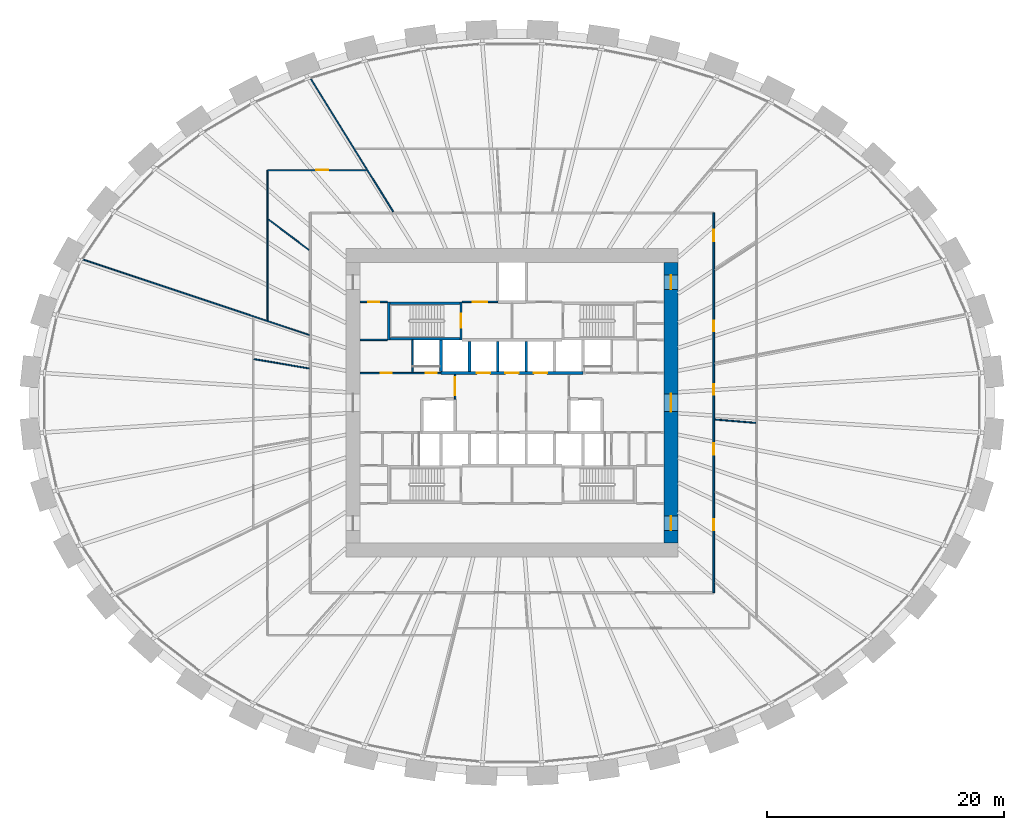
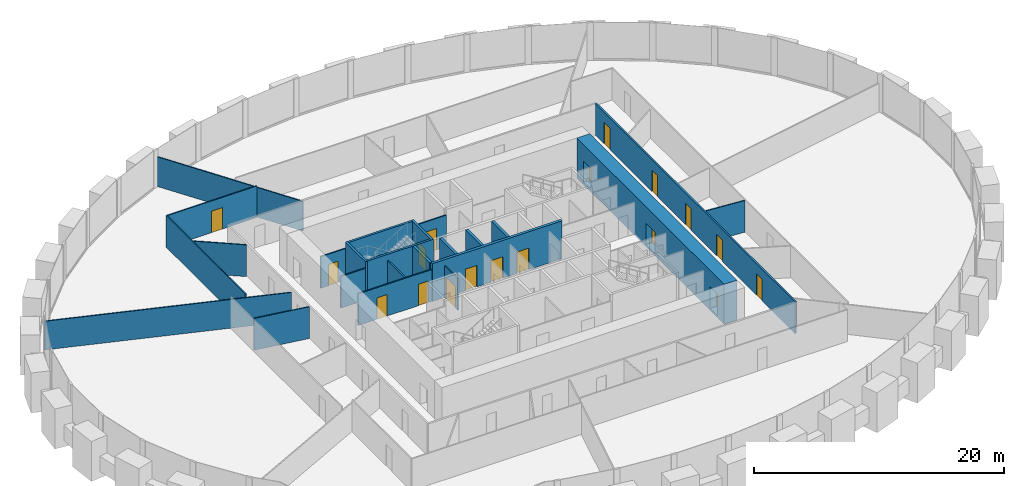
# One storey, part 8 of 11: 24 walls, 18 doors, 18 openings.
"""IFC4 building model written with IfcOpenShell, lengths in metres."""

from ifc_helpers import new_model, si_unit, direction, frame, frame_2d, origin, place, context, subcontext, project, spatial, rectangle, extrude, source, transform, mapped, material, layer, layer_set, type_object, element, fill, save


model = new_model("IFC4")

# Units and contexts
model_context = context("Model", 3, precision=1e-05, world=origin(), true_north=direction((0.0, 1.0)))
body_context = subcontext(model_context, "Body", "Model", "MODEL_VIEW")
ifc_project = project(units=[si_unit("LENGTHUNIT", "METRE"), si_unit("AREAUNIT", "SQUARE_METRE"), si_unit("VOLUMEUNIT", "CUBIC_METRE"), si_unit("PLANEANGLEUNIT", "RADIAN"), si_unit("MASSUNIT", "GRAM", prefix="KILO")], contexts=[model_context])

# Site, building, storey
site_placement = place(None, origin())
site = spatial("IfcSite", under=ifc_project, at=site_placement, CompositionType="ELEMENT")
building_placement = place(site_placement, origin())
building = spatial("IfcBuilding", under=site, at=building_placement, Name="Embergate Tower", CompositionType="ELEMENT")
storey_placement = place(building_placement, frame((0.0, 0.0, 58.10009765625)))
storey = spatial("IfcBuildingStorey", under=building, at=storey_placement, Name="L10", CompositionType="ELEMENT", Elevation=58.10009765625)

# Wall, openings, doors
ifc_material_1 = material(Name="Concrete C80", Category="concrete")
ifc_layer_1 = layer(ifc_material_1, 1.199951171875)
ifc_layer_set_1 = layer_set([ifc_layer_1], Name="Concrete C80")
wall_type_1 = type_object("IfcWallType", Name="Core outer wall C80 1200", PredefinedType="SHEAR", material=ifc_layer_set_1)
shared_shape_1 = source(origin(), body_context, "Body", "SweptSolid", [
    extrude(rectangle(XDim=23.60009765625, YDim=1.199951171875, at=frame_2d((11.800048828125, 0.0))), origin(), (0.0, 0.0, 1.0), 3.900146484375),
])
wall_1_placement = place(storey_placement, frame((13.39990234375, -11.800048828125, -0.2001953125), z_axis=(0.0, 0.0, 1.0), x_axis=(0.0, 1.0, 0.0)))
wall_1 = element("IfcWall", 1, at=wall_1_placement, inside=storey, type_object=wall_type_1, Name="CW-L10-E", PredefinedType="SHEAR", context=body_context, shape_type="MappedRepresentation", body=[
    mapped(shared_shape_1, transform((0.0, 0.0, 0.0))),
])
shared_shape_2 = source(origin(), body_context, "Body", "SweptSolid", [
    extrude(rectangle(XDim=1.199951171875, YDim=2.10009765625, at=frame_2d((0.60009765625, 1.050048828125))), frame((0.0, 0.60986328125, 0.0), z_axis=(0.0, -1.0, 0.0), x_axis=(1.0, 0.0, 0.0)), (0.0, 0.0, 1.0), 1.219970703125),
])
opening_1_placement = place(wall_1_placement, frame((21.35009765625, 0.0, 0.199951171875)))
opening_1 = element("IfcOpeningElement", 2, at=opening_1_placement, cuts=wall_1, Name="Opening IF-1", PredefinedType="OPENING", context=body_context, shape_type="MappedRepresentation", body=[
    mapped(shared_shape_2, transform((0.0, 0.0, 0.0))),
])
opening_2_placement = place(wall_1_placement, frame((1.050048828125, 0.0, 0.199951171875)))
opening_2 = element("IfcOpeningElement", 3, at=opening_2_placement, cuts=wall_1, Name="Opening IF-1", PredefinedType="OPENING", context=body_context, shape_type="MappedRepresentation", body=[
    mapped(shared_shape_2, transform((0.0, 0.0, 0.0))),
])
shared_shape_3 = source(origin(), body_context, "Body", "SweptSolid", [
    extrude(rectangle(XDim=1.5, YDim=2.10009765625, at=frame_2d((0.75, 1.050048828125))), frame((0.0, 0.60986328125, 0.0), z_axis=(0.0, -1.0, 0.0), x_axis=(1.0, 0.0, 0.0)), (0.0, 0.0, 1.0), 1.219970703125),
])
opening_3_placement = place(wall_1_placement, frame((11.050048828125, 0.0, 0.199951171875)))
opening_3 = element("IfcOpeningElement", 4, at=opening_3_placement, cuts=wall_1, Name="Opening IF-3", PredefinedType="OPENING", context=body_context, shape_type="MappedRepresentation", body=[
    mapped(shared_shape_3, transform((0.0, 0.0, 0.0))),
])
ifc_material_2 = material(Name="Escape fire door 1200")
door_type_1 = type_object("IfcDoorType", Name="Escape fire door 1200", OperationType="SINGLE_SWING_LEFT", PredefinedType="DOOR", material=ifc_material_2)
shared_shape_4 = source(origin(), body_context, "Body", "SweptSolid", [
    extrude(rectangle(XDim=1.199951171875, YDim=2.10009765625, at=frame_2d((0.60009765625, 1.050048828125))), frame((0.0, 0.02490234375, 0.0), z_axis=(0.0, -1.0, 0.0), x_axis=(1.0, 0.0, 0.0)), (0.0, 0.0, 1.0), 0.050048828125),
])
door_1_placement = place(opening_1_placement, origin())
door_1 = element("IfcDoor", 5, at=door_1_placement, inside=storey, type_object=door_type_1, Name="IF-1 door", OperationType="SINGLE_SWING_RIGHT", OverallHeight=2.10009765625, OverallWidth=1.199951171875, PredefinedType="DOOR", context=body_context, shape_type="MappedRepresentation", body=[
    mapped(shared_shape_4, transform((0.0, 0.0, 0.0))),
])
fill(opening_1, door_1)
door_2_placement = place(opening_2_placement, origin())
door_2 = element("IfcDoor", 6, at=door_2_placement, inside=storey, type_object=door_type_1, Name="IF-1 door", OperationType="SINGLE_SWING_LEFT", OverallHeight=2.10009765625, OverallWidth=1.199951171875, PredefinedType="DOOR", context=body_context, shape_type="MappedRepresentation", body=[
    mapped(shared_shape_4, transform((0.0, 0.0, 0.0))),
])
fill(opening_2, door_2)
ifc_material_3 = material(Name="Lobby fire door pair 1500")
door_type_2 = type_object("IfcDoorType", Name="Lobby fire door pair 1500", OperationType="DOUBLE_DOOR_SINGLE_SWING", PredefinedType="DOOR", material=ifc_material_3)
shared_shape_5 = source(origin(), body_context, "Body", "SweptSolid", [
    extrude(rectangle(XDim=1.5, YDim=2.10009765625, at=frame_2d((0.75, 1.050048828125))), frame((0.0, 0.02490234375, 0.0), z_axis=(0.0, -1.0, 0.0), x_axis=(1.0, 0.0, 0.0)), (0.0, 0.0, 1.0), 0.050048828125),
])
door_3_placement = place(opening_3_placement, origin())
door_3 = element("IfcDoor", 7, at=door_3_placement, inside=storey, type_object=door_type_2, Name="IF-3 door", OperationType="DOUBLE_DOOR_SINGLE_SWING", OverallHeight=2.10009765625, OverallWidth=1.5, PredefinedType="DOOR", context=body_context, shape_type="MappedRepresentation", body=[
    mapped(shared_shape_5, transform((0.0, 0.0, 0.0))),
])
fill(opening_3, door_3)

# Walls
ifc_material_4 = material(Name="Concrete C50", Category="concrete")
ifc_layer_2 = layer(ifc_material_4, 0.25)
ifc_layer_set_2 = layer_set([ifc_layer_2], Name="Concrete C50")
wall_type_2 = type_object("IfcWallType", Name="Hoistway wall reinforced concrete 250", PredefinedType="SHEAR", material=ifc_layer_set_2)
shared_shape_6 = source(origin(), body_context, "Body", "SweptSolid", [
    extrude(rectangle(XDim=2.675048828125, YDim=0.25, at=frame_2d((1.33740234375, 0.0))), origin(), (0.0, 0.0, 1.0), 3.699951171875),
])
wall_2_placement = place(storey_placement, frame((-6.0, 2.625, 0.0), z_axis=(0.0, 0.0, 1.0), x_axis=(0.0, 1.0, 0.0)))
element("IfcWall", 8, at=wall_2_placement, inside=storey, type_object=wall_type_2, Name="HW-1 wall", PredefinedType="SHEAR", context=body_context, shape_type="MappedRepresentation", body=[
    mapped(shared_shape_6, transform((0.0, 0.0, 0.0))),
])
ifc_layer_3 = layer(ifc_material_4, 0.199951171875)
ifc_layer_set_3 = layer_set([ifc_layer_3], Name="Concrete C50")
wall_type_3 = type_object("IfcWallType", Name="Stair enclosure wall reinforced concrete 250", PredefinedType="SHEAR", material=ifc_layer_set_3)
shared_shape_7 = source(origin(), body_context, "Body", "SweptSolid", [
    extrude(rectangle(XDim=6.300048828125, YDim=0.199951171875, at=frame_2d((3.14990234375, 0.0))), origin(), (0.0, 0.0, 1.0), 3.699951171875),
])
for number, where, z_axis, x_axis, name in (
    (9, (-4.199951171875, 5.39990234375, 0.0), (0.0, 0.0, 1.0), (-1.0, 0.0, 0.0), "SE-1 wall"),
    (10, (-4.199951171875, 8.39990234375, 0.0), (0.0, 0.0, 1.0), (-1.0, 0.0, 0.0), "SE-1 wall"),
):
    element("IfcWall", number, at=place(storey_placement, frame(where, z_axis=z_axis, x_axis=x_axis)), inside=storey, type_object=wall_type_3, Name=name, PredefinedType="SHEAR", context=body_context, shape_type="MappedRepresentation", body=[
        mapped(shared_shape_7, transform((0.0, 0.0, 0.0))),
    ])
shared_shape_8 = source(origin(), body_context, "Body", "SweptSolid", [
    extrude(rectangle(XDim=2.550048828125, YDim=0.25, at=frame_2d((1.27490234375, 0.0))), origin(), (0.0, 0.0, 1.0), 3.699951171875),
])
for number, where, z_axis, x_axis, name in (
    (11, (-3.60009765625, 2.625, 0.0), (0.0, 0.0, 1.0), (0.0, 1.0, 0.0), "HW-1 wall"),
    (12, (-1.199951171875, 2.625, 0.0), (0.0, 0.0, 1.0), (0.0, 1.0, 0.0), "HW-1 wall"),
    (13, (1.199951171875, 2.625, 0.0), (0.0, 0.0, 1.0), (0.0, 1.0, 0.0), "HW-1 wall"),
):
    element("IfcWall", number, at=place(storey_placement, frame(where, z_axis=z_axis, x_axis=x_axis)), inside=storey, type_object=wall_type_2, Name=name, PredefinedType="SHEAR", context=body_context, shape_type="MappedRepresentation", body=[
        mapped(shared_shape_8, transform((0.0, 0.0, 0.0))),
    ])

# Wall, openings, doors
shared_shape_9 = source(origin(), body_context, "Body", "SweptSolid", [
    extrude(rectangle(XDim=12.0, YDim=0.25, at=frame_2d((6.0, 0.0))), origin(), (0.0, 0.0, 1.0), 3.699951171875),
])
wall_3_placement = place(storey_placement, frame((-6.0, 2.5, 0.0), z_axis=(0.0, 0.0, 1.0), x_axis=(1.0, 0.0, 0.0)))
wall_3 = element("IfcWall", 14, at=wall_3_placement, inside=storey, type_object=wall_type_2, Name="HW-1 wall", PredefinedType="SHEAR", context=body_context, shape_type="MappedRepresentation", body=[
    mapped(shared_shape_9, transform((0.0, 0.0, 0.0))),
])
shared_shape_10 = source(origin(), body_context, "Body", "SweptSolid", [
    extrude(rectangle(XDim=1.10009765625, YDim=2.10009765625, at=frame_2d((0.550048828125, 1.050048828125))), frame((0.0, 0.135009765625, 0.0), z_axis=(0.0, -1.0, 0.0), x_axis=(1.0, 0.0, 0.0)), (0.0, 0.0, 1.0), 0.27001953125),
])
opening_4_placement = place(wall_3_placement, frame((3.050048828125, 0.0, 0.0)))
opening_4 = element("IfcOpeningElement", 15, at=opening_4_placement, cuts=wall_3, Name="Opening LD", PredefinedType="OPENING", context=body_context, shape_type="MappedRepresentation", body=[
    mapped(shared_shape_10, transform((0.0, 0.0, 0.0))),
])
opening_5_placement = place(wall_3_placement, frame((5.449951171875, 0.0, 0.0)))
opening_5 = element("IfcOpeningElement", 16, at=opening_5_placement, cuts=wall_3, Name="Opening LD", PredefinedType="OPENING", context=body_context, shape_type="MappedRepresentation", body=[
    mapped(shared_shape_10, transform((0.0, 0.0, 0.0))),
])
opening_6_placement = place(wall_3_placement, frame((7.85009765625, 0.0, 0.0)))
opening_6 = element("IfcOpeningElement", 17, at=opening_6_placement, cuts=wall_3, Name="Opening LD", PredefinedType="OPENING", context=body_context, shape_type="MappedRepresentation", body=[
    mapped(shared_shape_10, transform((0.0, 0.0, 0.0))),
])
ifc_material_5 = material(Name="Landing door sliding 1100")
door_type_3 = type_object("IfcDoorType", Name="Landing door sliding 1100", OperationType="SLIDING_TO_LEFT", PredefinedType="DOOR", material=ifc_material_5)
shared_shape_11 = source(origin(), body_context, "Body", "SweptSolid", [
    extrude(rectangle(XDim=1.10009765625, YDim=2.10009765625, at=frame_2d((0.550048828125, 1.050048828125))), frame((0.0, 0.02490234375, 0.0), z_axis=(0.0, -1.0, 0.0), x_axis=(1.0, 0.0, 0.0)), (0.0, 0.0, 1.0), 0.050048828125),
])
door_4_placement = place(opening_4_placement, origin())
door_4 = element("IfcDoor", 18, at=door_4_placement, inside=storey, type_object=door_type_3, Name="LD door", OperationType="SLIDING_TO_LEFT", OverallHeight=2.10009765625, OverallWidth=1.10009765625, PredefinedType="DOOR", context=body_context, shape_type="MappedRepresentation", body=[
    mapped(shared_shape_11, transform((0.0, 0.0, 0.0))),
])
fill(opening_4, door_4)
door_5_placement = place(opening_5_placement, origin())
door_5 = element("IfcDoor", 19, at=door_5_placement, inside=storey, type_object=door_type_3, Name="LD door", OperationType="SLIDING_TO_LEFT", OverallHeight=2.10009765625, OverallWidth=1.10009765625, PredefinedType="DOOR", context=body_context, shape_type="MappedRepresentation", body=[
    mapped(shared_shape_11, transform((0.0, 0.0, 0.0))),
])
fill(opening_5, door_5)
door_6_placement = place(opening_6_placement, origin())
door_6 = element("IfcDoor", 20, at=door_6_placement, inside=storey, type_object=door_type_3, Name="LD door", OperationType="SLIDING_TO_RIGHT", OverallHeight=2.10009765625, OverallWidth=1.10009765625, PredefinedType="DOOR", context=body_context, shape_type="MappedRepresentation", body=[
    mapped(shared_shape_11, transform((0.0, 0.0, 0.0))),
])
fill(opening_6, door_6)

# Wall, opening, door
shared_shape_12 = source(origin(), body_context, "Body", "SweptSolid", [
    extrude(rectangle(XDim=3.199951171875, YDim=0.199951171875, at=frame_2d((1.60009765625, 0.0))), origin(), (0.0, 0.0, 1.0), 3.699951171875),
])
wall_4_placement = place(storey_placement, frame((-4.300048828125, 5.300048828125, 0.0), z_axis=(0.0, 0.0, 1.0), x_axis=(0.0, 1.0, 0.0)))
wall_4 = element("IfcWall", 21, at=wall_4_placement, inside=storey, type_object=wall_type_3, Name="SE-1 wall", PredefinedType="SHEAR", context=body_context, shape_type="MappedRepresentation", body=[
    mapped(shared_shape_12, transform((0.0, 0.0, 0.0))),
])
shared_shape_13 = source(origin(), body_context, "Body", "SweptSolid", [
    extrude(rectangle(XDim=1.199951171875, YDim=2.10009765625, at=frame_2d((0.60009765625, 1.050048828125))), frame((0.0, 0.10986328125, 0.0), z_axis=(0.0, -1.0, 0.0), x_axis=(1.0, 0.0, 0.0)), (0.0, 0.0, 1.0), 0.219970703125),
])
opening_7_placement = place(wall_4_placement, frame((1.0, 0.0, 0.0)))
opening_7 = element("IfcOpeningElement", 22, at=opening_7_placement, cuts=wall_4, Name="Opening IF-2", PredefinedType="OPENING", context=body_context, shape_type="MappedRepresentation", body=[
    mapped(shared_shape_13, transform((0.0, 0.0, 0.0))),
])
ifc_material_6 = material(Name="Stair enclosure door 1200")
door_type_4 = type_object("IfcDoorType", Name="Stair enclosure door 1200", OperationType="SINGLE_SWING_LEFT", PredefinedType="DOOR", material=ifc_material_6)
door_7_placement = place(opening_7_placement, origin())
door_7 = element("IfcDoor", 23, at=door_7_placement, inside=storey, type_object=door_type_4, Name="IF-2 door", OperationType="SINGLE_SWING_RIGHT", OverallHeight=2.10009765625, OverallWidth=1.199951171875, PredefinedType="DOOR", context=body_context, shape_type="MappedRepresentation", body=[
    mapped(shared_shape_4, transform((0.0, 0.0, 0.0))),
])
fill(opening_7, door_7)

# Wall
wall_5_placement = place(storey_placement, frame((-10.39990234375, 8.5, 0.0), z_axis=(0.0, 0.0, 1.0), x_axis=(0.0, -1.0, 0.0)))
element("IfcWall", 24, at=wall_5_placement, inside=storey, type_object=wall_type_3, Name="SE-1 wall", PredefinedType="SHEAR", context=body_context, shape_type="MappedRepresentation", body=[
    mapped(shared_shape_12, transform((0.0, 0.0, 0.0))),
])

# Wall, openings, doors
ifc_material_7 = material(Name="Core partition blockwork 120")
ifc_layer_4 = layer(ifc_material_7, 0.1201171875)
ifc_layer_set_4 = layer_set([ifc_layer_4], Name="Core partition blockwork 120")
wall_type_4 = type_object("IfcWallType", Name="Core partition blockwork 120", PredefinedType="PARTITIONING", material=ifc_layer_set_4)
shared_shape_14 = source(origin(), body_context, "Body", "SweptSolid", [
    extrude(rectangle(XDim=6.800048828125, YDim=0.1201171875, at=frame_2d((3.39990234375, 0.0))), origin(), (0.0, 0.0, 1.0), 3.099853515625),
])
wall_6_placement = place(storey_placement, frame((-12.800048828125, 2.5, 0.0), z_axis=(0.0, 0.0, 1.0), x_axis=(1.0, 0.0, 0.0)))
wall_6 = element("IfcWall", 25, at=wall_6_placement, inside=storey, type_object=wall_type_4, Name="IP-3 wall", PredefinedType="PARTITIONING", context=body_context, shape_type="MappedRepresentation", body=[
    mapped(shared_shape_14, transform((0.0, 0.0, 0.0))),
])
shared_shape_15 = source(origin(), body_context, "Body", "SweptSolid", [
    extrude(rectangle(XDim=0.89990234375, YDim=2.10009765625, at=frame_2d((0.449951171875, 1.050048828125))), frame((0.0, 0.070068359375, 0.0), z_axis=(0.0, -1.0, 0.0), x_axis=(1.0, 0.0, 0.0)), (0.0, 0.0, 1.0), 0.14013671875),
])
opening_8_placement = place(wall_6_placement, frame((5.550048828125, 0.0, 0.0)))
opening_8 = element("IfcOpeningElement", 26, at=opening_8_placement, cuts=wall_6, Name="Opening ID-1", PredefinedType="OPENING", context=body_context, shape_type="MappedRepresentation", body=[
    mapped(shared_shape_15, transform((0.0, 0.0, 0.0))),
])
opening_9_placement = place(wall_6_placement, frame((1.75, 0.0, 0.0)))
opening_9 = element("IfcOpeningElement", 27, at=opening_9_placement, cuts=wall_6, Name="Opening ID-1", PredefinedType="OPENING", context=body_context, shape_type="MappedRepresentation", body=[
    mapped(shared_shape_15, transform((0.0, 0.0, 0.0))),
])
ifc_material_8 = material(Name="Interior door 900")
door_type_5 = type_object("IfcDoorType", Name="Interior door 900", OperationType="SINGLE_SWING_LEFT", PredefinedType="DOOR", material=ifc_material_8)
shared_shape_16 = source(origin(), body_context, "Body", "SweptSolid", [
    extrude(rectangle(XDim=0.89990234375, YDim=2.10009765625, at=frame_2d((0.449951171875, 1.050048828125))), frame((0.0, 0.02490234375, 0.0), z_axis=(0.0, -1.0, 0.0), x_axis=(1.0, 0.0, 0.0)), (0.0, 0.0, 1.0), 0.050048828125),
])
door_8_placement = place(opening_8_placement, origin())
door_8 = element("IfcDoor", 28, at=door_8_placement, inside=storey, type_object=door_type_5, Name="ID-1 door", OperationType="SINGLE_SWING_LEFT", OverallHeight=2.10009765625, OverallWidth=0.89990234375, PredefinedType="DOOR", context=body_context, shape_type="MappedRepresentation", body=[
    mapped(shared_shape_16, transform((0.0, 0.0, 0.0))),
])
fill(opening_8, door_8)
door_9_placement = place(opening_9_placement, origin())
door_9 = element("IfcDoor", 29, at=door_9_placement, inside=storey, type_object=door_type_5, Name="ID-1 door", OperationType="SINGLE_SWING_LEFT", OverallHeight=2.10009765625, OverallWidth=0.89990234375, PredefinedType="DOOR", context=body_context, shape_type="MappedRepresentation", body=[
    mapped(shared_shape_16, transform((0.0, 0.0, 0.0))),
])
fill(opening_9, door_9)

# Wall
shared_shape_17 = source(origin(), body_context, "Body", "SweptSolid", [
    extrude(rectangle(XDim=2.739990234375, YDim=0.1201171875, at=frame_2d((1.3701171875, 0.0))), origin(), (0.0, 0.0, 1.0), 3.099853515625),
])
wall_7_placement = place(storey_placement, frame((-8.39990234375, 5.300048828125, 0.0), z_axis=(0.0, 0.0, 1.0), x_axis=(0.0, -1.0, 0.0)))
element("IfcWall", 30, at=wall_7_placement, inside=storey, type_object=wall_type_4, Name="IP-3 wall", PredefinedType="PARTITIONING", context=body_context, shape_type="MappedRepresentation", body=[
    mapped(shared_shape_17, transform((0.0, 0.0, 0.0))),
])

# Wall, opening, door
shared_shape_18 = source(origin(), body_context, "Body", "SweptSolid", [
    extrude(rectangle(XDim=2.074951171875, YDim=0.1201171875, at=frame_2d((1.03759765625, 0.0))), origin(), (0.0, 0.0, 1.0), 3.099853515625),
])
wall_8_placement = place(storey_placement, frame((-4.800048828125, 2.375, 0.0), z_axis=(0.0, 0.0, 1.0), x_axis=(0.0, -1.0, 0.0)))
wall_8 = element("IfcWall", 31, at=wall_8_placement, inside=storey, type_object=wall_type_4, Name="IP-3 wall", PredefinedType="PARTITIONING", context=body_context, shape_type="MappedRepresentation", body=[
    mapped(shared_shape_18, transform((0.0, 0.0, 0.0))),
])
shared_shape_19 = source(origin(), body_context, "Body", "SweptSolid", [
    extrude(rectangle(XDim=1.5, YDim=2.10009765625, at=frame_2d((0.75, 1.050048828125))), frame((0.0, 0.070068359375, 0.0), z_axis=(0.0, -1.0, 0.0), x_axis=(1.0, 0.0, 0.0)), (0.0, 0.0, 1.0), 0.14013671875),
])
opening_10_placement = place(wall_8_placement, frame((0.22509765625, 0.0, 0.0)))
opening_10 = element("IfcOpeningElement", 32, at=opening_10_placement, cuts=wall_8, Name="Opening IF-3", PredefinedType="OPENING", context=body_context, shape_type="MappedRepresentation", body=[
    mapped(shared_shape_19, transform((0.0, 0.0, 0.0))),
])
door_10_placement = place(opening_10_placement, origin())
door_10 = element("IfcDoor", 33, at=door_10_placement, inside=storey, type_object=door_type_2, Name="IF-3 door", OperationType="DOUBLE_DOOR_SINGLE_SWING", OverallHeight=2.10009765625, OverallWidth=1.5, PredefinedType="DOOR", context=body_context, shape_type="MappedRepresentation", body=[
    mapped(shared_shape_5, transform((0.0, 0.0, 0.0))),
])
fill(opening_10, door_10)

shared_shape_20 = source(origin(), body_context, "Body", "SweptSolid", [
    extrude(rectangle(XDim=3.0, YDim=0.1201171875, at=frame_2d((1.5, 0.0))), origin(), (0.0, 0.0, 1.0), 3.099853515625),
])
wall_9_placement = place(storey_placement, frame((-1.199951171875, 8.5, 0.0), z_axis=(0.0, 0.0, 1.0), x_axis=(-1.0, 0.0, 0.0)))
wall_9 = element("IfcWall", 34, at=wall_9_placement, inside=storey, type_object=wall_type_4, Name="IP-3 wall", PredefinedType="PARTITIONING", context=body_context, shape_type="MappedRepresentation", body=[
    mapped(shared_shape_20, transform((0.0, 0.0, 0.0))),
])
shared_shape_21 = source(origin(), body_context, "Body", "SweptSolid", [
    extrude(rectangle(XDim=1.199951171875, YDim=2.10009765625, at=frame_2d((0.60009765625, 1.050048828125))), frame((0.0, 0.070068359375, 0.0), z_axis=(0.0, -1.0, 0.0), x_axis=(1.0, 0.0, 0.0)), (0.0, 0.0, 1.0), 0.14013671875),
])
opening_11_placement = place(wall_9_placement, frame((0.89990234375, 0.0, 0.0)))
opening_11 = element("IfcOpeningElement", 35, at=opening_11_placement, cuts=wall_9, Name="Opening IF-3f", PredefinedType="OPENING", context=body_context, shape_type="MappedRepresentation", body=[
    mapped(shared_shape_21, transform((0.0, 0.0, 0.0))),
])
ifc_material_9 = material(Name="Lobby fire door pair 1200")
door_type_6 = type_object("IfcDoorType", Name="Lobby fire door pair 1200", OperationType="DOUBLE_DOOR_SINGLE_SWING", PredefinedType="DOOR", material=ifc_material_9)
door_11_placement = place(opening_11_placement, origin())
door_11 = element("IfcDoor", 36, at=door_11_placement, inside=storey, type_object=door_type_6, Name="IF-3 door", OperationType="DOUBLE_DOOR_SINGLE_SWING", OverallHeight=2.10009765625, OverallWidth=1.199951171875, PredefinedType="DOOR", context=body_context, shape_type="MappedRepresentation", body=[
    mapped(shared_shape_4, transform((0.0, 0.0, 0.0))),
])
fill(opening_11, door_11)

shared_shape_22 = source(origin(), body_context, "Body", "SweptSolid", [
    extrude(rectangle(XDim=2.300048828125, YDim=0.1201171875, at=frame_2d((1.14990234375, 0.0))), origin(), (0.0, 0.0, 1.0), 3.099853515625),
])
wall_10_placement = place(storey_placement, frame((-12.800048828125, 8.5, 0.0), z_axis=(0.0, 0.0, 1.0), x_axis=(1.0, 0.0, 0.0)))
wall_10 = element("IfcWall", 37, at=wall_10_placement, inside=storey, type_object=wall_type_4, Name="IP-3 wall", PredefinedType="PARTITIONING", context=body_context, shape_type="MappedRepresentation", body=[
    mapped(shared_shape_22, transform((0.0, 0.0, 0.0))),
])
opening_12_placement = place(wall_10_placement, frame((0.699951171875, 0.0, 0.0)))
opening_12 = element("IfcOpeningElement", 38, at=opening_12_placement, cuts=wall_10, Name="Opening ID-1", PredefinedType="OPENING", context=body_context, shape_type="MappedRepresentation", body=[
    mapped(shared_shape_15, transform((0.0, 0.0, 0.0))),
])
door_12_placement = place(opening_12_placement, origin())
door_12 = element("IfcDoor", 39, at=door_12_placement, inside=storey, type_object=door_type_5, Name="ID-1 door", OperationType="SINGLE_SWING_LEFT", OverallHeight=2.10009765625, OverallWidth=0.89990234375, PredefinedType="DOOR", context=body_context, shape_type="MappedRepresentation", body=[
    mapped(shared_shape_16, transform((0.0, 0.0, 0.0))),
])
fill(opening_12, door_12)

# Wall
wall_11_placement = place(storey_placement, frame((-10.5, 5.300048828125, 0.0), z_axis=(0.0, 0.0, 1.0), x_axis=(-1.0, 0.0, 0.0)))
element("IfcWall", 40, at=wall_11_placement, inside=storey, type_object=wall_type_4, Name="IP-3 wall", PredefinedType="PARTITIONING", context=body_context, shape_type="MappedRepresentation", body=[
    mapped(shared_shape_22, transform((0.0, 0.0, 0.0))),
])

# Wall, openings, doors
ifc_material_10 = material(Name="Corridor wall dry-lined 150 wet")
ifc_layer_5 = layer(ifc_material_10, 0.14990234375)
ifc_layer_set_5 = layer_set([ifc_layer_5], Name="Corridor wall dry-lined 150 wet")
wall_type_5 = type_object("IfcWallType", Name="Corridor wall dry-lined 150 wet", PredefinedType="PLUMBINGWALL", material=ifc_layer_set_5)
shared_shape_23 = source(origin(), body_context, "Body", "SweptSolid", [
    extrude(rectangle(XDim=32.0, YDim=0.14990234375, at=frame_2d((16.0, 0.0))), origin(), (0.0, 0.0, 1.0), 3.099853515625),
])
wall_12_placement = place(storey_placement, frame((17.0, 16.0, 0.0), z_axis=(0.0, 0.0, 1.0), x_axis=(0.0, -1.0, 0.0)))
wall_12 = element("IfcWall", 41, at=wall_12_placement, inside=storey, type_object=wall_type_5, Name="IP-2 wall", PredefinedType="PLUMBINGWALL", context=body_context, shape_type="MappedRepresentation", body=[
    mapped(shared_shape_23, transform((0.0, 0.0, 0.0))),
])
shared_shape_24 = source(origin(), body_context, "Body", "SweptSolid", [
    extrude(rectangle(XDim=0.89990234375, YDim=2.10009765625, at=frame_2d((0.449951171875, 1.050048828125))), frame((0.0, 0.0849609375, 0.0), z_axis=(0.0, -1.0, 0.0), x_axis=(1.0, 0.0, 0.0)), (0.0, 0.0, 1.0), 0.169921875),
])
opening_13_placement = place(wall_12_placement, frame((25.8310546875, 0.0, 0.0)))
opening_13 = element("IfcOpeningElement", 42, at=opening_13_placement, cuts=wall_12, Name="Opening IF-1c", PredefinedType="OPENING", context=body_context, shape_type="MappedRepresentation", body=[
    mapped(shared_shape_24, transform((0.0, 0.0, 0.0))),
])
shared_shape_25 = source(origin(), body_context, "Body", "SweptSolid", [
    extrude(rectangle(XDim=1.0, YDim=2.10009765625, at=frame_2d((0.5, 1.050048828125))), frame((0.0, 0.0849609375, 0.0), z_axis=(0.0, -1.0, 0.0), x_axis=(1.0, 0.0, 0.0)), (0.0, 0.0, 1.0), 0.169921875),
])
opening_14_placement = place(wall_12_placement, frame((19.40087890625, 0.0, 0.0)))
opening_14 = element("IfcOpeningElement", 43, at=opening_14_placement, cuts=wall_12, Name="Opening ID-2", PredefinedType="OPENING", context=body_context, shape_type="MappedRepresentation", body=[
    mapped(shared_shape_25, transform((0.0, 0.0, 0.0))),
])
opening_15_placement = place(wall_12_placement, frame((14.429931640625, 0.0, 0.0)))
opening_15 = element("IfcOpeningElement", 44, at=opening_15_placement, cuts=wall_12, Name="Opening IF-1c", PredefinedType="OPENING", context=body_context, shape_type="MappedRepresentation", body=[
    mapped(shared_shape_24, transform((0.0, 0.0, 0.0))),
])
opening_16_placement = place(wall_12_placement, frame((9.073974609375, 0.0, 0.0)))
opening_16 = element("IfcOpeningElement", 45, at=opening_16_placement, cuts=wall_12, Name="Opening IF-1c", PredefinedType="OPENING", context=body_context, shape_type="MappedRepresentation", body=[
    mapped(shared_shape_24, transform((0.0, 0.0, 0.0))),
])
opening_17_placement = place(wall_12_placement, frame((1.406005859375, 0.0, 0.0)))
opening_17 = element("IfcOpeningElement", 46, at=opening_17_placement, cuts=wall_12, Name="Opening ID-2", PredefinedType="OPENING", context=body_context, shape_type="MappedRepresentation", body=[
    mapped(shared_shape_25, transform((0.0, 0.0, 0.0))),
])
ifc_material_11 = material(Name="Escape fire door 900")
door_type_7 = type_object("IfcDoorType", Name="Escape fire door 900", OperationType="SINGLE_SWING_LEFT", PredefinedType="DOOR", material=ifc_material_11)
door_13_placement = place(opening_13_placement, origin())
door_13 = element("IfcDoor", 47, at=door_13_placement, inside=storey, type_object=door_type_7, Name="IF-1 door", OperationType="SINGLE_SWING_RIGHT", OverallHeight=2.10009765625, OverallWidth=0.89990234375, PredefinedType="DOOR", context=body_context, shape_type="MappedRepresentation", body=[
    mapped(shared_shape_16, transform((0.0, 0.0, 0.0))),
])
fill(opening_13, door_13)
door_14_placement = place(opening_15_placement, origin())
door_14 = element("IfcDoor", 48, at=door_14_placement, inside=storey, type_object=door_type_7, Name="IF-1 door", OperationType="SINGLE_SWING_RIGHT", OverallHeight=2.10009765625, OverallWidth=0.89990234375, PredefinedType="DOOR", context=body_context, shape_type="MappedRepresentation", body=[
    mapped(shared_shape_16, transform((0.0, 0.0, 0.0))),
])
fill(opening_15, door_14)
door_15_placement = place(opening_16_placement, origin())
door_15 = element("IfcDoor", 49, at=door_15_placement, inside=storey, type_object=door_type_7, Name="IF-1 door", OperationType="SINGLE_SWING_LEFT", OverallHeight=2.10009765625, OverallWidth=0.89990234375, PredefinedType="DOOR", context=body_context, shape_type="MappedRepresentation", body=[
    mapped(shared_shape_16, transform((0.0, 0.0, 0.0))),
])
fill(opening_16, door_15)
ifc_material_12 = material(Name="Interior door 1000")
door_type_8 = type_object("IfcDoorType", Name="Interior door 1000", OperationType="SINGLE_SWING_LEFT", PredefinedType="DOOR", material=ifc_material_12)
shared_shape_26 = source(origin(), body_context, "Body", "SweptSolid", [
    extrude(rectangle(XDim=1.0, YDim=2.10009765625, at=frame_2d((0.5, 1.050048828125))), frame((0.0, 0.02490234375, 0.0), z_axis=(0.0, -1.0, 0.0), x_axis=(1.0, 0.0, 0.0)), (0.0, 0.0, 1.0), 0.050048828125),
])
door_16_placement = place(opening_14_placement, origin())
door_16 = element("IfcDoor", 50, at=door_16_placement, inside=storey, type_object=door_type_8, Name="ID-2 door", OperationType="SINGLE_SWING_RIGHT", OverallHeight=2.10009765625, OverallWidth=1.0, PredefinedType="DOOR", context=body_context, shape_type="MappedRepresentation", body=[
    mapped(shared_shape_26, transform((0.0, 0.0, 0.0))),
])
fill(opening_14, door_16)
door_17_placement = place(opening_17_placement, origin())
door_17 = element("IfcDoor", 51, at=door_17_placement, inside=storey, type_object=door_type_8, Name="ID-2 door", OperationType="SINGLE_SWING_LEFT", OverallHeight=2.10009765625, OverallWidth=1.0, PredefinedType="DOOR", context=body_context, shape_type="MappedRepresentation", body=[
    mapped(shared_shape_26, transform((0.0, 0.0, 0.0))),
])
fill(opening_17, door_17)

# Walls
ifc_material_13 = material(Name="Partition dry-lined 100")
ifc_layer_6 = layer(ifc_material_13, 0.10009765625)
ifc_layer_set_6 = layer_set([ifc_layer_6], Name="Partition dry-lined 100")
wall_type_6 = type_object("IfcWallType", Name="Partition dry-lined 100", PredefinedType="PARTITIONING", material=ifc_layer_set_6)
shared_shape_27 = source(origin(), body_context, "Body", "SweptSolid", [
    extrude(rectangle(XDim=3.48681640625, YDim=0.10009765625, at=frame_2d((1.743408203125, 0.0))), origin(), (0.0, 0.0, 1.0), 3.099853515625),
])
wall_13_placement = place(storey_placement, frame((17.074951171875, -1.410888671875, 0.0), z_axis=(0.0, 0.0, 1.0), x_axis=(0.99660441733, -0.082338541154, 0.0)))
element("IfcWall", 52, at=wall_13_placement, inside=storey, type_object=wall_type_6, Name="IP-1 wall", PredefinedType="PARTITIONING", context=body_context, shape_type="MappedRepresentation", body=[
    mapped(shared_shape_27, transform((0.0, 0.0, 0.0))),
])
shared_shape_28 = source(origin(), body_context, "Body", "SweptSolid", [
    extrude(rectangle(XDim=13.247802734375, YDim=0.10009765625, at=frame_2d((6.6240234375, 0.0))), origin(), (0.0, 0.0, 1.0), 2.89990234375),
])
wall_14_placement = place(storey_placement, frame((-10.006103515625, 16.10107421875, 0.0), z_axis=(0.0, 0.0, 1.0), x_axis=(-0.527850413099, 0.849337354289, 0.0)))
element("IfcWall", 53, at=wall_14_placement, inside=storey, type_object=wall_type_6, Name="IP-1 wall", PredefinedType="PARTITIONING", context=body_context, shape_type="MappedRepresentation", body=[
    mapped(shared_shape_28, transform((0.0, 0.0, 0.0))),
])
shared_shape_29 = source(origin(), body_context, "Body", "SweptSolid", [
    extrude(rectangle(XDim=4.274169921875, YDim=0.10009765625, at=frame_2d((2.13720703125, 0.0))), origin(), (0.0, 0.0, 1.0), 3.099853515625),
])
wall_15_placement = place(storey_placement, frame((-17.10498046875, 12.8740234375, 0.0), z_axis=(0.0, 0.0, 1.0), x_axis=(-0.799011862494, 0.601315261401, 0.0)))
element("IfcWall", 54, at=wall_15_placement, inside=storey, type_object=wall_type_6, Name="IP-1 wall", PredefinedType="PARTITIONING", context=body_context, shape_type="MappedRepresentation", body=[
    mapped(shared_shape_29, transform((0.0, 0.0, 0.0))),
])
shared_shape_30 = source(origin(), body_context, "Body", "SweptSolid", [
    extrude(rectangle(XDim=12.652099609375, YDim=0.10009765625, at=frame_2d((6.326171875, 0.0))), origin(), (0.0, 0.0, 1.0), 3.099853515625),
])
wall_16_placement = place(storey_placement, frame((-20.60009765625, 6.947998046875, 0.0), z_axis=(0.0, 0.0, 1.0), x_axis=(0.0, 1.0, 0.0)))
element("IfcWall", 55, at=wall_16_placement, inside=storey, type_object=wall_type_6, Name="IP-1 wall", PredefinedType="PARTITIONING", context=body_context, shape_type="MappedRepresentation", body=[
    mapped(shared_shape_30, transform((0.0, 0.0, 0.0))),
])

# Wall, opening, door
shared_shape_31 = source(origin(), body_context, "Body", "SweptSolid", [
    extrude(rectangle(XDim=8.3291015625, YDim=0.10009765625, at=frame_2d((4.16455078125, 0.0))), origin(), (0.0, 0.0, 1.0), 3.099853515625),
])
wall_17_placement = place(storey_placement, frame((-20.60009765625, 19.60009765625, 0.0), z_axis=(0.0, 0.0, 1.0), x_axis=(1.0, 0.0, 0.0)))
wall_17 = element("IfcWall", 56, at=wall_17_placement, inside=storey, type_object=wall_type_6, Name="IP-1 wall", PredefinedType="PARTITIONING", context=body_context, shape_type="MappedRepresentation", body=[
    mapped(shared_shape_31, transform((0.0, 0.0, 0.0))),
])
shared_shape_32 = source(origin(), body_context, "Body", "SweptSolid", [
    extrude(rectangle(XDim=1.0, YDim=2.10009765625, at=frame_2d((0.5, 1.050048828125))), frame((0.0, 0.06005859375, 0.0), z_axis=(0.0, -1.0, 0.0), x_axis=(1.0, 0.0, 0.0)), (0.0, 0.0, 1.0), 0.1201171875),
])
opening_18_placement = place(wall_17_placement, frame((4.118896484375, 0.0, 0.0)))
opening_18 = element("IfcOpeningElement", 57, at=opening_18_placement, cuts=wall_17, Name="Opening ID-2", PredefinedType="OPENING", context=body_context, shape_type="MappedRepresentation", body=[
    mapped(shared_shape_32, transform((0.0, 0.0, 0.0))),
])
door_18_placement = place(opening_18_placement, origin())
door_18 = element("IfcDoor", 58, at=door_18_placement, inside=storey, type_object=door_type_8, Name="ID-2 door", OperationType="SINGLE_SWING_LEFT", OverallHeight=2.10009765625, OverallWidth=1.0, PredefinedType="DOOR", context=body_context, shape_type="MappedRepresentation", body=[
    mapped(shared_shape_26, transform((0.0, 0.0, 0.0))),
])
fill(opening_18, door_18)

# Walls
shared_shape_33 = source(origin(), body_context, "Body", "SweptSolid", [
    extrude(rectangle(XDim=20.171630859375, YDim=0.10009765625, at=frame_2d((10.0859375, 0.0))), origin(), (0.0, 0.0, 1.0), 2.7998046875),
])
wall_18_placement = place(storey_placement, frame((-36.22412109375, 12.095947265625, 0.0), z_axis=(0.0, 0.0, 1.0), x_axis=(0.948516141482, -0.316728794631, 0.0)))
element("IfcWall", 59, at=wall_18_placement, inside=storey, type_object=wall_type_6, Name="IP-1 wall", PredefinedType="PARTITIONING", context=body_context, shape_type="MappedRepresentation", body=[
    mapped(shared_shape_33, transform((0.0, 0.0, 0.0))),
])
shared_shape_34 = source(origin(), body_context, "Body", "SweptSolid", [
    extrude(rectangle(XDim=4.72509765625, YDim=0.10009765625, at=frame_2d((2.362548828125, 0.0))), origin(), (0.0, 0.0, 1.0), 3.099853515625),
])
wall_19_placement = place(storey_placement, frame((-17.0830078125, 2.89111328125, 0.0), z_axis=(0.0, 0.0, 1.0), x_axis=(-0.986001540785, 0.166736203538, 0.0)))
element("IfcWall", 60, at=wall_19_placement, inside=storey, type_object=wall_type_6, Name="IP-1 wall", PredefinedType="PARTITIONING", context=body_context, shape_type="MappedRepresentation", body=[
    mapped(shared_shape_34, transform((0.0, 0.0, 0.0))),
])

save(model, "model.ifc")
